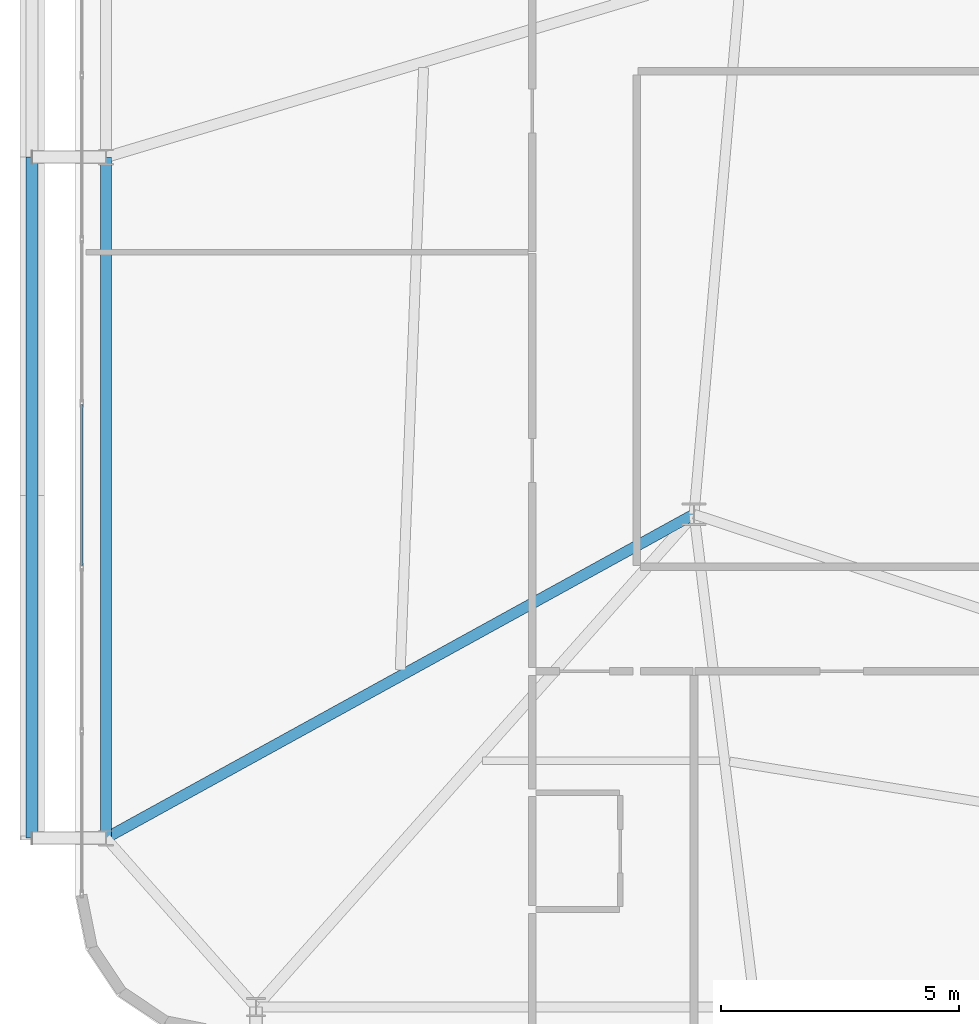
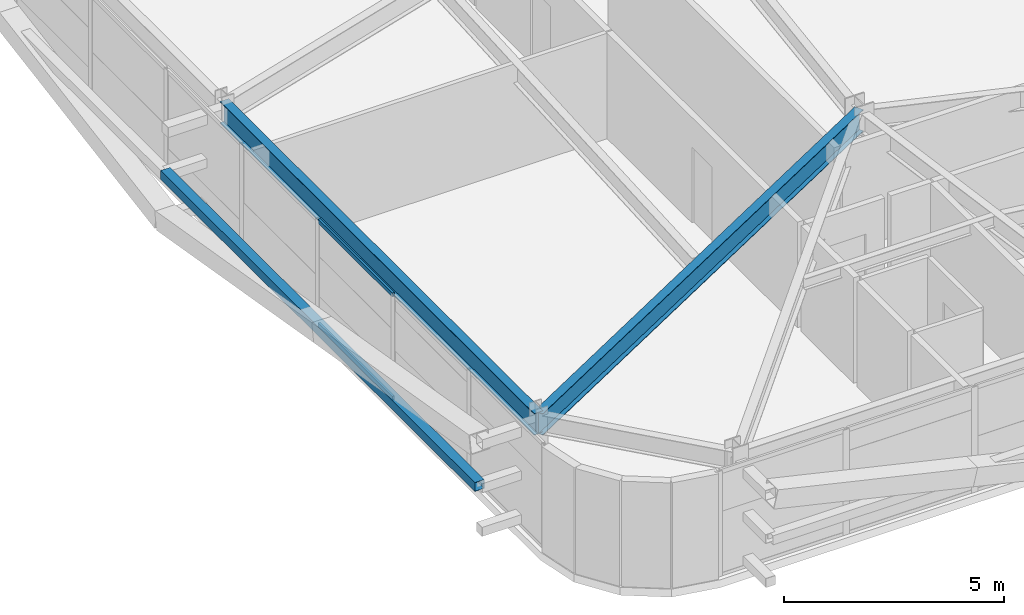
# One storey, part 9 of 58: 3 members, 2 beams, 1 element without a shape of its own.
"""IFC4 building model written with IfcOpenShell, lengths in metres."""

from ifc_helpers import new_model, si_unit, direction, frame, origin, origin_2d, place, context, subcontext, project, spatial, hollow_rectangle, i_section, extrude, source, transform, mapped, material, layer, layer_set, material_profile, profile_set, type_object, element, aggregate, save


model = new_model("IFC4")

# Units and contexts
model_context = context("Model", 3, precision=1e-05, world=origin(), true_north=direction((0.0, 1.0)))
body_context = subcontext(model_context, "Body", "Model", "MODEL_VIEW")
ifc_project = project(units=[si_unit("LENGTHUNIT", "METRE"), si_unit("AREAUNIT", "SQUARE_METRE"), si_unit("VOLUMEUNIT", "CUBIC_METRE"), si_unit("PLANEANGLEUNIT", "RADIAN"), si_unit("MASSUNIT", "GRAM", prefix="KILO")], contexts=[model_context])

# Site, building, storey
site_placement = place(None, origin())
site = spatial("IfcSite", under=ifc_project, at=site_placement, CompositionType="ELEMENT")
building_placement = place(site_placement, origin())
building = spatial("IfcBuilding", under=site, at=building_placement, Name="Taldren Reach Tower", CompositionType="ELEMENT")
storey_placement = place(building_placement, frame((0.0, 0.0, 51.449951171875)))
storey = spatial("IfcBuildingStorey", under=building, at=storey_placement, Name="L15", CompositionType="ELEMENT", Elevation=51.449951171875)

# Beams
ifc_material_1 = material(Name="Steel Gr 350 (350PLUS)", Category="steel")
ifc_material_profile_1 = material_profile(ifc_material_1, i_section(OverallWidth=0.22802734375, OverallDepth=0.60205078125, WebThickness=0.010498046875, FlangeThickness=0.014892578125, at=origin_2d()), Name="610UB101")
ifc_profile_set_1 = profile_set([ifc_material_profile_1], Name="Steel Gr 350 (350PLUS)")
beam_type = type_object("IfcBeamType", Name="BM-UB610B", PredefinedType="BEAM", material=ifc_profile_set_1)
shared_shape_1 = source(origin(), body_context, "Body", "SweptSolid", [
    extrude(i_section(OverallWidth=0.22802734375, OverallDepth=0.60205078125, WebThickness=0.010498046875, FlangeThickness=0.014892578125, at=origin_2d()), origin(), (0.0, 0.0, 1.0), 14.300048828125),
])
beam_1_placement = place(storey_placement, frame((5.64990234375, 20.0, 2.629150390625), z_axis=(0.0, -1.0, 0.0), x_axis=(1.0, 0.0, 0.0)))
element("IfcBeam", 1, at=beam_1_placement, inside=storey, type_object=beam_type, Name="Perimeter gable girder B1 W2-W1 L15", PredefinedType="BEAM", context=body_context, shape_type="MappedRepresentation", body=[
    mapped(shared_shape_1, transform((0.0, 0.0, 0.0), scale=1.0)),
])
shared_shape_2 = source(origin(), body_context, "Body", "SweptSolid", [
    extrude(i_section(OverallWidth=0.22802734375, OverallDepth=0.60205078125, WebThickness=0.010498046875, FlangeThickness=0.014892578125, at=origin_2d()), origin(), (0.0, 0.0, 1.0), 14.098388671875),
])
beam_2_placement = place(storey_placement, frame((18.0, 12.5, 2.629150390625), z_axis=(-0.875991325783, -0.482326857175, 0.0), x_axis=(0.482326857175, -0.875991325783, 0.0)))
element("IfcBeam", 2, at=beam_2_placement, inside=storey, type_object=beam_type, Name="Primary floor girder B1-W1 L15", PredefinedType="BEAM", context=body_context, shape_type="MappedRepresentation", body=[
    mapped(shared_shape_2, transform((0.0, 0.0, 0.0), scale=1.0)),
])

# Member
ifc_material_2 = material(Name="Steel Gr 350 (C350L0)", Category="steel")
ifc_material_profile_2 = material_profile(ifc_material_2, hollow_rectangle(XDim=0.25, YDim=0.25, WallThickness=0.010009765625, at=origin_2d()), Name="250x250x10.0SHS")
ifc_profile_set_2 = profile_set([ifc_material_profile_2], Name="Steel Gr 350 (C350L0)")
member_type_1 = type_object("IfcMemberType", Name="MB-POST250", PredefinedType="POST", material=ifc_profile_set_2)
shared_shape_3 = source(origin(), body_context, "Body", "SweptSolid", [
    extrude(hollow_rectangle(XDim=0.25, YDim=0.25, WallThickness=0.010009765625, at=origin_2d()), origin(), (0.0, 0.0, 1.0), 14.300048828125),
])
member_1_placement = place(storey_placement, frame((4.10009765625, 5.699951171875, 1.43505859375), z_axis=(0.0, 1.0, 0.0), x_axis=(-1.0, 0.0, 0.0)))
element("IfcMember", 3, at=member_1_placement, inside=storey, type_object=member_type_1, Name="Exoskeleton mid-height ring chord B1-W1 L15", PredefinedType="POST", context=body_context, shape_type="MappedRepresentation", body=[
    mapped(shared_shape_3, transform((0.0, 0.0, 0.0), scale=1.0)),
])

# Curtain wall, members
ifc_material_3 = material(Name="Aluminium and Low-E Glass Unitised System", Category="aluminium")
ifc_layer = layer(ifc_material_3, 0.159912109375)
ifc_layer_set = layer_set([ifc_layer], Name="Aluminium and Low-E Glass Unitised System")
curtain_wall_type = type_object("IfcCurtainWallType", Name="CW-SYS-2", PredefinedType="NOTDEFINED", material=ifc_layer_set)
curtain_wall_placement = place(storey_placement, origin())
curtain_wall = element("IfcCurtainWall", 4, at=curtain_wall_placement, inside=storey, type_object=curtain_wall_type, Name="Unitised curtain wall CW-L15-W", PredefinedType="NOTDEFINED")
ifc_material_4 = material(Name="Anodised Aluminium 6063-T6", Category="aluminium")
ifc_material_profile_3 = material_profile(ifc_material_4, hollow_rectangle(XDim=0.054931640625, YDim=0.1201171875, WallThickness=0.0029296875, at=origin_2d()), Name="ALU-120x55x3RHS")
ifc_profile_set_3 = profile_set([ifc_material_profile_3], Name="Anodised Aluminium 6063-T6")
member_type_2 = type_object("IfcMemberType", Name="CW-TRN-135", PredefinedType="USERDEFINED", material=ifc_profile_set_3)
shared_shape_4 = source(origin(), body_context, "Body", "SweptSolid", [
    extrude(hollow_rectangle(XDim=0.054931640625, YDim=0.1201171875, WallThickness=0.0029296875, at=origin_2d()), origin(), (0.0, 0.0, 1.0), 3.37939453125),
])
member_2_placement = place(storey_placement, frame((5.139892578125, 14.80078125, 0.027587890625), z_axis=(0.0, -1.0, 0.0), x_axis=(1.0, 0.0, 0.0)))
member_2 = element("IfcMember", 5, at=member_2_placement, type_object=member_type_2, Name="CW-2 transom 7.1", ObjectType="TRANSOM", PredefinedType="USERDEFINED", context=body_context, shape_type="MappedRepresentation", body=[
    mapped(shared_shape_4, transform((0.0, 0.0, 0.0), scale=1.0)),
])
member_3_placement = place(storey_placement, frame((5.139892578125, 14.80078125, 2.902587890625), z_axis=(0.0, -1.0, 0.0), x_axis=(1.0, 0.0, 0.0)))
member_3 = element("IfcMember", 6, at=member_3_placement, type_object=member_type_2, Name="CW-2 transom 7.2", ObjectType="TRANSOM", PredefinedType="USERDEFINED", context=body_context, shape_type="MappedRepresentation", body=[
    mapped(shared_shape_4, transform((0.0, 0.0, 0.0), scale=1.0)),
])
aggregate(curtain_wall, [member_2, member_3])

save(model, "model.ifc")
